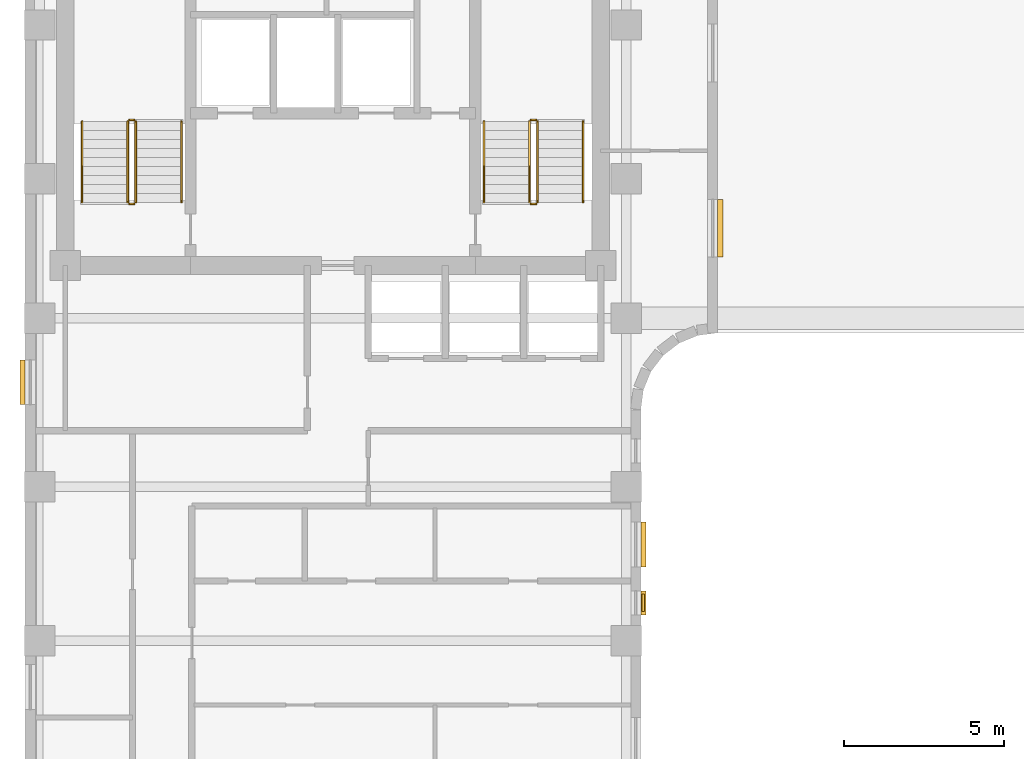
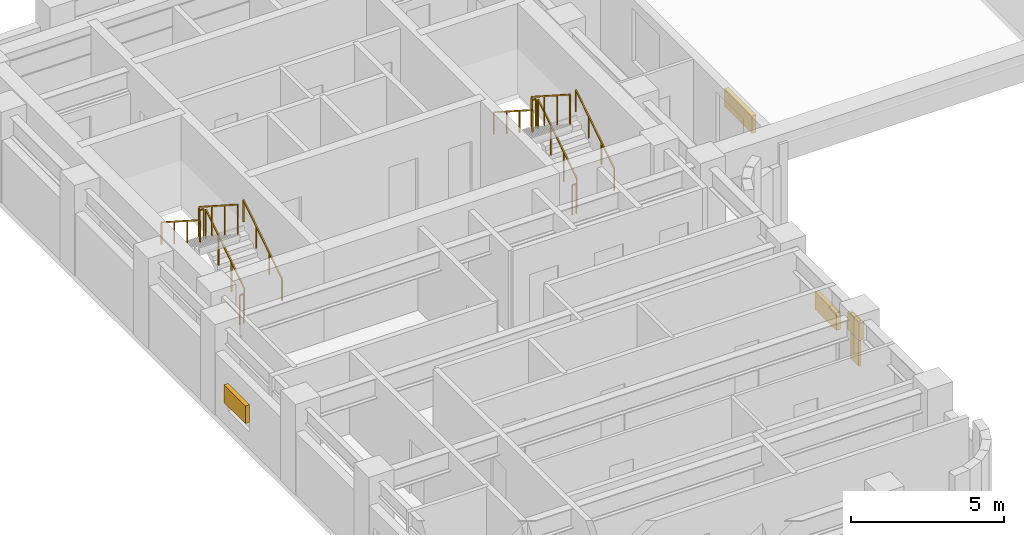
# One storey, part 7 of 9: 12 railings, 5 shading devices.
"""IFC4 building model written with IfcOpenShell, lengths in metres."""

from ifc_helpers import new_model, si_unit, direction, frame, origin, origin_2d, place, context, subcontext, project, spatial, rectangle, extrude, material, type_object, element, save


model = new_model("IFC4")

# Units and contexts
model_context = context("Model", 3, precision=1e-05, world=origin(), true_north=direction((0.0, 1.0)))
body_context = subcontext(model_context, "Body", "Model", "MODEL_VIEW")
ifc_project = project(units=[si_unit("LENGTHUNIT", "METRE"), si_unit("AREAUNIT", "SQUARE_METRE"), si_unit("VOLUMEUNIT", "CUBIC_METRE"), si_unit("PLANEANGLEUNIT", "RADIAN"), si_unit("MASSUNIT", "GRAM", prefix="KILO")], contexts=[model_context])

# Site, building, storey
site_placement = place(None, origin())
site = spatial("IfcSite", under=ifc_project, at=site_placement, CompositionType="ELEMENT")
building_placement = place(site_placement, origin())
building = spatial("IfcBuilding", under=site, at=building_placement, Name="Orvandelia Arch Residences", CompositionType="ELEMENT")
storey_placement = place(building_placement, frame((0.0, 0.0, 190.0)))
storey = spatial("IfcBuildingStorey", under=building, at=storey_placement, Name="L50", CompositionType="ELEMENT", Elevation=190.0)

# Railings
ifc_material_1 = material(Name="Brushed Stainless Steel 304", Category="steel")
railing_type_1 = type_object("IfcRailingType", Name="RL-STAIR-GD1120", PredefinedType="GUARDRAIL", material=ifc_material_1)
railing_1_placement = place(storey_placement, frame((8.25, 32.8701171875, 0.179931640625)))
element("IfcRailing", 1, at=railing_1_placement, inside=storey, type_object=railing_type_1, Name="L50 ST-1 stair guard 1", PredefinedType="GUARDRAIL", context=body_context, shape_type="SweptSolid", body=[
    extrude(rectangle(XDim=0.048095703125, YDim=0.048095703125, at=origin_2d()), frame((0.0, 0.0, 1.17578125), z_axis=(0.0, 0.841138753965, 0.540819375188), x_axis=(-1.0, 0.0, 0.0)), (0.0, 0.0, 1.0), 2.99560546875),
    extrude(rectangle(XDim=0.0419921875, YDim=0.0419921875, at=origin_2d()), origin(), (0.0, 0.0, 1.0), 1.15185546875),
    extrude(rectangle(XDim=0.0419921875, YDim=0.0419921875, at=origin_2d()), frame((0.0, 0.83984375, 0.5400390625)), (0.0, 0.0, 1.0), 1.15185546875),
    extrude(rectangle(XDim=0.0419921875, YDim=0.0419921875, at=origin_2d()), frame((0.0, 1.679931640625, 1.080078125)), (0.0, 0.0, 1.0), 1.15185546875),
    extrude(rectangle(XDim=0.0419921875, YDim=0.0419921875, at=origin_2d()), frame((0.0, 2.519775390625, 1.6201171875)), (0.0, 0.0, 1.0), 1.15185546875),
])
railing_2_placement = place(storey_placement, frame((8.199951171875, 35.43994140625, 1.800048828125)))
element("IfcRailing", 2, at=railing_2_placement, inside=storey, type_object=railing_type_1, Name="L50 ST-1 stair guard 2", PredefinedType="GUARDRAIL", context=body_context, shape_type="SweptSolid", body=[
    extrude(rectangle(XDim=0.048095703125, YDim=0.048095703125, at=origin_2d()), frame((0.0, 0.0, 1.17578125), z_axis=(-1.0, 0.0, 0.0), x_axis=(0.0, -1.0, 0.0)), (0.0, 0.0, 1.0), 0.14990234375),
    extrude(rectangle(XDim=0.0419921875, YDim=0.0419921875, at=origin_2d()), origin(), (0.0, 0.0, 1.0), 1.15185546875),
    extrude(rectangle(XDim=0.0419921875, YDim=0.0419921875, at=origin_2d()), frame((-0.14990234375, 0.0, 0.0)), (0.0, 0.0, 1.0), 1.15185546875),
])
railing_3_placement = place(storey_placement, frame((8.0, 35.389892578125, 1.97998046875)))
element("IfcRailing", 3, at=railing_3_placement, inside=storey, type_object=railing_type_1, Name="L50 ST-1 stair guard 3", PredefinedType="GUARDRAIL", context=body_context, shape_type="SweptSolid", body=[
    extrude(rectangle(XDim=0.048095703125, YDim=0.048095703125, at=origin_2d()), frame((0.0, 0.0, 1.17578125), z_axis=(0.0, -0.841138753965, 0.540819375188), x_axis=(1.0, 0.0, 0.0)), (0.0, 0.0, 1.0), 2.99560546875),
    extrude(rectangle(XDim=0.0419921875, YDim=0.0419921875, at=origin_2d()), origin(), (0.0, 0.0, 1.0), 1.15185546875),
    extrude(rectangle(XDim=0.0419921875, YDim=0.0419921875, at=origin_2d()), frame((0.0, -0.83984375, 0.5400390625)), (0.0, 0.0, 1.0), 1.15185546875),
    extrude(rectangle(XDim=0.0419921875, YDim=0.0419921875, at=origin_2d()), frame((0.0, -1.679931640625, 1.080078125)), (0.0, 0.0, 1.0), 1.15185546875),
    extrude(rectangle(XDim=0.0419921875, YDim=0.0419921875, at=origin_2d()), frame((0.0, -2.519775390625, 1.6201171875)), (0.0, 0.0, 1.0), 1.15185546875),
])
railing_4_placement = place(storey_placement, frame((8.199951171875, 32.820068359375, 0.0)))
element("IfcRailing", 4, at=railing_4_placement, inside=storey, type_object=railing_type_1, Name="L50 ST-1 stair guard 4", PredefinedType="GUARDRAIL", context=body_context, shape_type="SweptSolid", body=[
    extrude(rectangle(XDim=0.048095703125, YDim=0.048095703125, at=origin_2d()), frame((0.0, 0.0, 1.17578125), z_axis=(-1.0, 0.0, 0.0), x_axis=(0.0, -1.0, 0.0)), (0.0, 0.0, 1.0), 0.14990234375),
    extrude(rectangle(XDim=0.0419921875, YDim=0.0419921875, at=origin_2d()), origin(), (0.0, 0.0, 1.0), 1.15185546875),
    extrude(rectangle(XDim=0.0419921875, YDim=0.0419921875, at=origin_2d()), frame((-0.14990234375, 0.0, 0.0)), (0.0, 0.0, 1.0), 1.15185546875),
])
railing_5_placement = place(storey_placement, frame((20.780029296875, 32.8701171875, 0.179931640625)))
element("IfcRailing", 5, at=railing_5_placement, inside=storey, type_object=railing_type_1, Name="L50 ST-2 stair guard 1", PredefinedType="GUARDRAIL", context=body_context, shape_type="SweptSolid", body=[
    extrude(rectangle(XDim=0.048095703125, YDim=0.048095703125, at=origin_2d()), frame((0.0, 0.0, 1.17578125), z_axis=(0.0, 0.841138753965, 0.540819375188), x_axis=(-1.0, 0.0, 0.0)), (0.0, 0.0, 1.0), 2.99560546875),
    extrude(rectangle(XDim=0.0419921875, YDim=0.0419921875, at=origin_2d()), origin(), (0.0, 0.0, 1.0), 1.15185546875),
    extrude(rectangle(XDim=0.0419921875, YDim=0.0419921875, at=origin_2d()), frame((0.0, 0.83984375, 0.5400390625)), (0.0, 0.0, 1.0), 1.15185546875),
    extrude(rectangle(XDim=0.0419921875, YDim=0.0419921875, at=origin_2d()), frame((0.0, 1.679931640625, 1.080078125)), (0.0, 0.0, 1.0), 1.15185546875),
    extrude(rectangle(XDim=0.0419921875, YDim=0.0419921875, at=origin_2d()), frame((0.0, 2.519775390625, 1.6201171875)), (0.0, 0.0, 1.0), 1.15185546875),
])
railing_6_placement = place(storey_placement, frame((20.72998046875, 35.43994140625, 1.800048828125)))
element("IfcRailing", 6, at=railing_6_placement, inside=storey, type_object=railing_type_1, Name="L50 ST-2 stair guard 2", PredefinedType="GUARDRAIL", context=body_context, shape_type="SweptSolid", body=[
    extrude(rectangle(XDim=0.048095703125, YDim=0.048095703125, at=origin_2d()), frame((0.0, 0.0, 1.17578125), z_axis=(-1.0, 0.0, 0.0), x_axis=(0.0, -1.0, 0.0)), (0.0, 0.0, 1.0), 0.14990234375),
    extrude(rectangle(XDim=0.0419921875, YDim=0.0419921875, at=origin_2d()), origin(), (0.0, 0.0, 1.0), 1.15185546875),
    extrude(rectangle(XDim=0.0419921875, YDim=0.0419921875, at=origin_2d()), frame((-0.14990234375, 0.0, 0.0)), (0.0, 0.0, 1.0), 1.15185546875),
])
railing_7_placement = place(storey_placement, frame((20.530029296875, 35.389892578125, 1.97998046875)))
element("IfcRailing", 7, at=railing_7_placement, inside=storey, type_object=railing_type_1, Name="L50 ST-2 stair guard 3", PredefinedType="GUARDRAIL", context=body_context, shape_type="SweptSolid", body=[
    extrude(rectangle(XDim=0.048095703125, YDim=0.048095703125, at=origin_2d()), frame((0.0, 0.0, 1.17578125), z_axis=(0.0, -0.841138753965, 0.540819375188), x_axis=(1.0, 0.0, 0.0)), (0.0, 0.0, 1.0), 2.99560546875),
    extrude(rectangle(XDim=0.0419921875, YDim=0.0419921875, at=origin_2d()), origin(), (0.0, 0.0, 1.0), 1.15185546875),
    extrude(rectangle(XDim=0.0419921875, YDim=0.0419921875, at=origin_2d()), frame((0.0, -0.83984375, 0.5400390625)), (0.0, 0.0, 1.0), 1.15185546875),
    extrude(rectangle(XDim=0.0419921875, YDim=0.0419921875, at=origin_2d()), frame((0.0, -1.679931640625, 1.080078125)), (0.0, 0.0, 1.0), 1.15185546875),
    extrude(rectangle(XDim=0.0419921875, YDim=0.0419921875, at=origin_2d()), frame((0.0, -2.519775390625, 1.6201171875)), (0.0, 0.0, 1.0), 1.15185546875),
])
railing_8_placement = place(storey_placement, frame((20.72998046875, 32.820068359375, 0.0)))
element("IfcRailing", 8, at=railing_8_placement, inside=storey, type_object=railing_type_1, Name="L50 ST-2 stair guard 4", PredefinedType="GUARDRAIL", context=body_context, shape_type="SweptSolid", body=[
    extrude(rectangle(XDim=0.048095703125, YDim=0.048095703125, at=origin_2d()), frame((0.0, 0.0, 1.17578125), z_axis=(-1.0, 0.0, 0.0), x_axis=(0.0, -1.0, 0.0)), (0.0, 0.0, 1.0), 0.14990234375),
    extrude(rectangle(XDim=0.0419921875, YDim=0.0419921875, at=origin_2d()), origin(), (0.0, 0.0, 1.0), 1.15185546875),
    extrude(rectangle(XDim=0.0419921875, YDim=0.0419921875, at=origin_2d()), frame((-0.14990234375, 0.0, 0.0)), (0.0, 0.0, 1.0), 1.15185546875),
])
railing_type_2 = type_object("IfcRailingType", Name="RL-STAIR-HR920", PredefinedType="HANDRAIL", material=ifc_material_1)
railing_9_placement = place(storey_placement, frame((9.669921875, 32.8701171875, 0.360107421875)))
element("IfcRailing", 9, at=railing_9_placement, inside=storey, type_object=railing_type_2, Name="L50 ST-1 stair handrail 1", PredefinedType="HANDRAIL", context=body_context, shape_type="SweptSolid", body=[
    extrude(rectangle(XDim=0.048095703125, YDim=0.048095703125, at=origin_2d()), frame((0.0, 0.0, 0.8759765625), z_axis=(0.0, 0.841175827307, 0.540761710511), x_axis=(-1.0, 0.0, 0.0)), (0.0, 0.0, 1.0), 2.99560546875),
    extrude(rectangle(XDim=0.0419921875, YDim=0.0419921875, at=origin_2d()), origin(), (0.0, 0.0, 1.0), 0.851806640625),
    extrude(rectangle(XDim=0.0419921875, YDim=0.0419921875, at=origin_2d()), frame((0.0, 0.83984375, 0.5400390625)), (0.0, 0.0, 1.0), 0.851806640625),
    extrude(rectangle(XDim=0.0419921875, YDim=0.0419921875, at=origin_2d()), frame((0.0, 1.679931640625, 1.079833984375)), (0.0, 0.0, 1.0), 0.851806640625),
    extrude(rectangle(XDim=0.0419921875, YDim=0.0419921875, at=origin_2d()), frame((0.0, 2.519775390625, 1.619873046875)), (0.0, 0.0, 1.0), 0.851806640625),
])
railing_10_placement = place(storey_placement, frame((6.580078125, 35.389892578125, 2.159912109375)))
element("IfcRailing", 10, at=railing_10_placement, inside=storey, type_object=railing_type_2, Name="L50 ST-1 stair handrail 2", PredefinedType="HANDRAIL", context=body_context, shape_type="SweptSolid", body=[
    extrude(rectangle(XDim=0.048095703125, YDim=0.048095703125, at=origin_2d()), frame((0.0, 0.0, 0.8759765625), z_axis=(0.0, -0.841138753965, 0.540819375188), x_axis=(1.0, 0.0, 0.0)), (0.0, 0.0, 1.0), 2.99560546875),
    extrude(rectangle(XDim=0.0419921875, YDim=0.0419921875, at=origin_2d()), origin(), (0.0, 0.0, 1.0), 0.851806640625),
    extrude(rectangle(XDim=0.0419921875, YDim=0.0419921875, at=origin_2d()), frame((0.0, -0.83984375, 0.5400390625)), (0.0, 0.0, 1.0), 0.851806640625),
    extrude(rectangle(XDim=0.0419921875, YDim=0.0419921875, at=origin_2d()), frame((0.0, -1.679931640625, 1.080078125)), (0.0, 0.0, 1.0), 0.851806640625),
    extrude(rectangle(XDim=0.0419921875, YDim=0.0419921875, at=origin_2d()), frame((0.0, -2.519775390625, 1.6201171875)), (0.0, 0.0, 1.0), 0.851806640625),
])
railing_11_placement = place(storey_placement, frame((22.199951171875, 32.8701171875, 0.360107421875)))
element("IfcRailing", 11, at=railing_11_placement, inside=storey, type_object=railing_type_2, Name="L50 ST-2 stair handrail 1", PredefinedType="HANDRAIL", context=body_context, shape_type="SweptSolid", body=[
    extrude(rectangle(XDim=0.048095703125, YDim=0.048095703125, at=origin_2d()), frame((0.0, 0.0, 0.8759765625), z_axis=(0.0, 0.841175827307, 0.540761710511), x_axis=(-1.0, 0.0, 0.0)), (0.0, 0.0, 1.0), 2.99560546875),
    extrude(rectangle(XDim=0.0419921875, YDim=0.0419921875, at=origin_2d()), origin(), (0.0, 0.0, 1.0), 0.851806640625),
    extrude(rectangle(XDim=0.0419921875, YDim=0.0419921875, at=origin_2d()), frame((0.0, 0.83984375, 0.5400390625)), (0.0, 0.0, 1.0), 0.851806640625),
    extrude(rectangle(XDim=0.0419921875, YDim=0.0419921875, at=origin_2d()), frame((0.0, 1.679931640625, 1.079833984375)), (0.0, 0.0, 1.0), 0.851806640625),
    extrude(rectangle(XDim=0.0419921875, YDim=0.0419921875, at=origin_2d()), frame((0.0, 2.519775390625, 1.619873046875)), (0.0, 0.0, 1.0), 0.851806640625),
])
railing_12_placement = place(storey_placement, frame((19.110107421875, 35.389892578125, 2.159912109375)))
element("IfcRailing", 12, at=railing_12_placement, inside=storey, type_object=railing_type_2, Name="L50 ST-2 stair handrail 2", PredefinedType="HANDRAIL", context=body_context, shape_type="SweptSolid", body=[
    extrude(rectangle(XDim=0.048095703125, YDim=0.048095703125, at=origin_2d()), frame((0.0, 0.0, 0.8759765625), z_axis=(0.0, -0.841138753965, 0.540819375188), x_axis=(1.0, 0.0, 0.0)), (0.0, 0.0, 1.0), 2.99560546875),
    extrude(rectangle(XDim=0.0419921875, YDim=0.0419921875, at=origin_2d()), origin(), (0.0, 0.0, 1.0), 0.851806640625),
    extrude(rectangle(XDim=0.0419921875, YDim=0.0419921875, at=origin_2d()), frame((0.0, -0.83984375, 0.5400390625)), (0.0, 0.0, 1.0), 0.851806640625),
    extrude(rectangle(XDim=0.0419921875, YDim=0.0419921875, at=origin_2d()), frame((0.0, -1.679931640625, 1.080078125)), (0.0, 0.0, 1.0), 0.851806640625),
    extrude(rectangle(XDim=0.0419921875, YDim=0.0419921875, at=origin_2d()), frame((0.0, -2.519775390625, 1.6201171875)), (0.0, 0.0, 1.0), 0.851806640625),
])

# Shading devices
ifc_material_2 = material(Name="Anodised Champagne-Bronze Extruded Aluminium", Category="aluminium")
shading_device_type_1 = type_object("IfcShadingDeviceType", Name="SHD-JALOUSIE-SCREEN", PredefinedType="JALOUSIE", material=ifc_material_2)
shading_device_1_placement = place(storey_placement, frame((26.47998046875, 32.06005859375, 2.2001953125), z_axis=(0.0, 0.0, 1.0), x_axis=(0.0, -1.0, 0.0)))
element("IfcShadingDevice", 13, at=shading_device_1_placement, inside=storey, type_object=shading_device_type_1, Name="Bronze Jalousie Sun-Shade L50-004", PredefinedType="JALOUSIE", context=body_context, shape_type="SweptSolid", body=[
    extrude(rectangle(XDim=1.800048828125, YDim=0.159912109375, at=origin_2d()), origin(), (0.0, 0.0, 1.0), 0.699951171875),
])
shading_device_2_placement = place(storey_placement, frame((24.080078125, 22.199951171875, 1.0498046875), z_axis=(0.0, 0.0, 1.0), x_axis=(0.0, -1.0, 0.0)))
element("IfcShadingDevice", 14, at=shading_device_2_placement, inside=storey, type_object=shading_device_type_1, Name="Bronze Jalousie Sun-Shade L50-005", PredefinedType="JALOUSIE", context=body_context, shape_type="SweptSolid", body=[
    extrude(rectangle(XDim=1.39990234375, YDim=0.159912109375, at=origin_2d()), origin(), (0.0, 0.0, 1.0), 0.699951171875),
])
shading_device_3_placement = place(storey_placement, frame((24.080078125, 20.37744140625, 1.5498046875), z_axis=(0.0, 0.0, 1.0), x_axis=(0.0, -1.0, 0.0)))
element("IfcShadingDevice", 15, at=shading_device_3_placement, inside=storey, type_object=shading_device_type_1, Name="Bronze Jalousie Sun-Shade L50-006", PredefinedType="JALOUSIE", context=body_context, shape_type="SweptSolid", body=[
    extrude(rectangle(XDim=0.75, YDim=0.159912109375, at=origin_2d()), origin(), (0.0, 0.0, 1.0), 0.699951171875),
])
shading_device_4_placement = place(storey_placement, frame((4.719970703125, 27.257568359375, 1.0498046875), z_axis=(0.0, 0.0, 1.0), x_axis=(0.0, 1.0, 0.0)))
element("IfcShadingDevice", 16, at=shading_device_4_placement, inside=storey, type_object=shading_device_type_1, Name="Bronze Jalousie Sun-Shade L50-007", PredefinedType="JALOUSIE", context=body_context, shape_type="SweptSolid", body=[
    extrude(rectangle(XDim=1.39990234375, YDim=0.159912109375, at=origin_2d()), origin(), (0.0, 0.0, 1.0), 0.699951171875),
])
ifc_material_3 = material(Name="Marine-Grade Perforated Aluminium Storm Shutter", Category="aluminium")
shading_device_type_2 = type_object("IfcShadingDeviceType", Name="SHD-STORM-SHUTTER", PredefinedType="SHUTTER", material=ifc_material_3)
shading_device_5_placement = place(storey_placement, frame((24.080078125, 20.37744140625, 0.4501953125), z_axis=(0.0, 0.0, 1.0), x_axis=(0.0, -1.0, 0.0)))
element("IfcShadingDevice", 17, at=shading_device_5_placement, inside=storey, type_object=shading_device_type_2, Name="Operable Typhoon Storm Shutter L50-006", PredefinedType="SHUTTER", context=body_context, shape_type="SweptSolid", body=[
    extrude(rectangle(XDim=0.550048828125, YDim=0.080078125, at=origin_2d()), origin(), (0.0, 0.0, 1.0), 1.800048828125),
])

save(model, "model.ifc")
